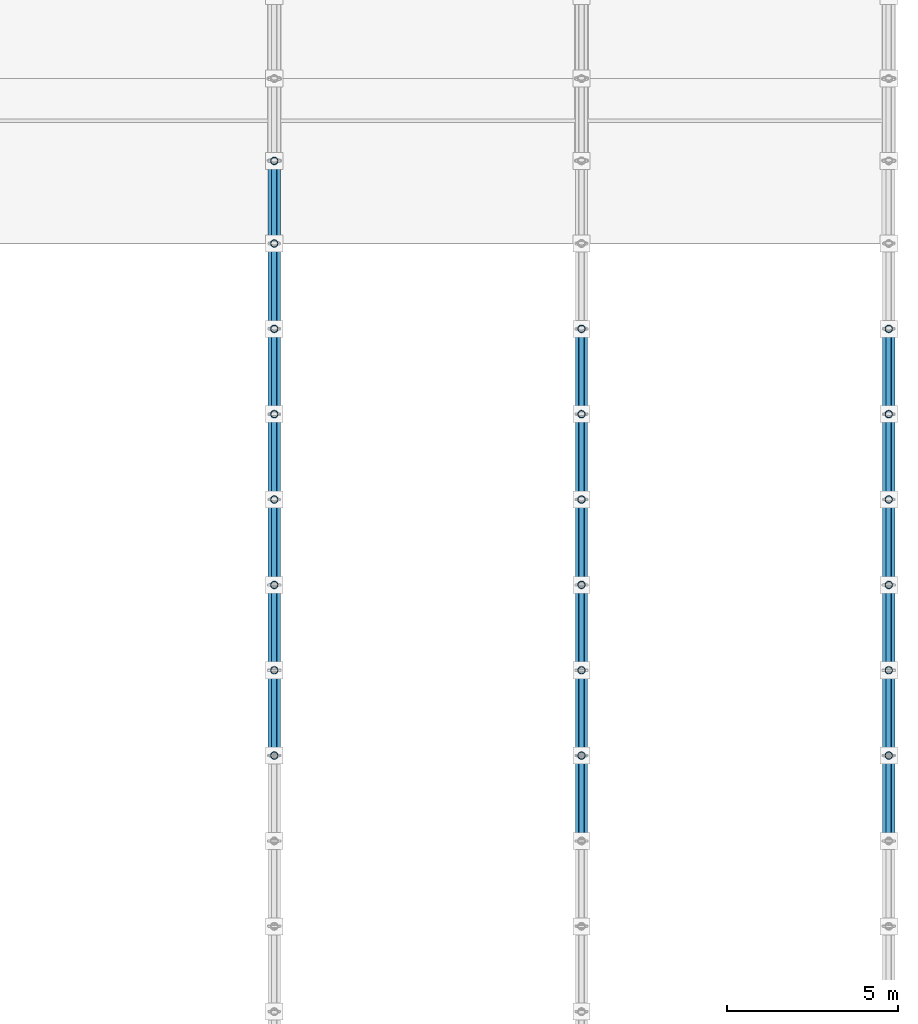
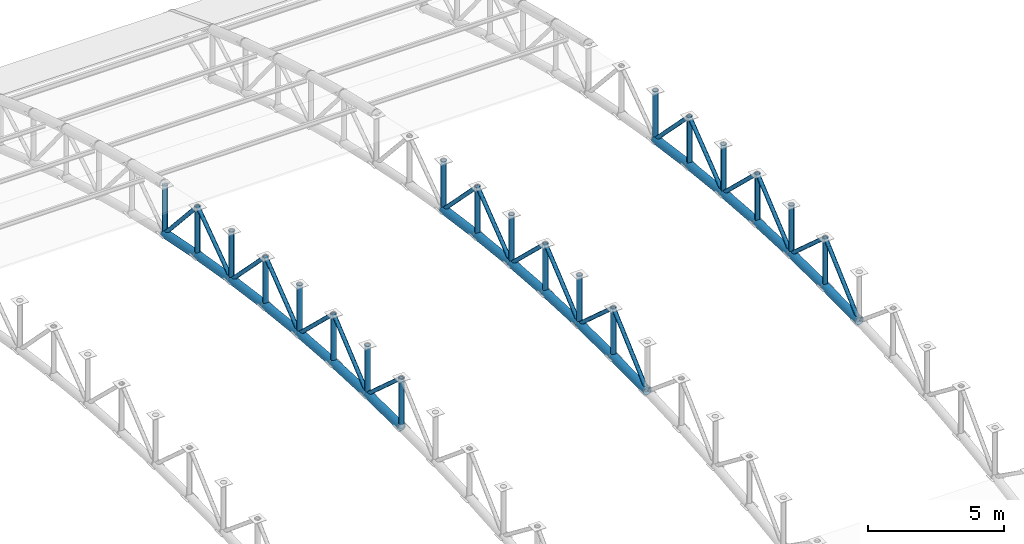
# One storey, part 88 of 195: 58 members.
"""IFC4 building model written with IfcOpenShell, lengths in metres."""

from ifc_helpers import new_model, si_unit, direction, frame, origin, origin_2d, place, context, subcontext, project, spatial, hollow_circle, extrude, material, material_profile, profile_set, type_object, element, save


model = new_model("IFC4")

# Units and contexts
model_context = context("Model", 3, precision=1e-05, world=origin(), true_north=direction((0.0, 1.0)))
body_context = subcontext(model_context, "Body", "Model", "MODEL_VIEW")
ifc_project = project(units=[si_unit("LENGTHUNIT", "METRE"), si_unit("AREAUNIT", "SQUARE_METRE"), si_unit("VOLUMEUNIT", "CUBIC_METRE"), si_unit("PLANEANGLEUNIT", "RADIAN"), si_unit("MASSUNIT", "GRAM", prefix="KILO")], contexts=[model_context])

# Site, building, storey
site_placement = place(None, origin())
site = spatial("IfcSite", under=ifc_project, at=site_placement, CompositionType="ELEMENT")
building_placement = place(site_placement, origin())
building = spatial("IfcBuilding", under=site, at=building_placement, Name="Marlcrest Central Station", CompositionType="ELEMENT")
storey_placement = place(building_placement, frame((0.0, 0.0, 9.800048828125)))
storey = spatial("IfcBuildingStorey", under=building, at=storey_placement, Name="L02", CompositionType="ELEMENT", Elevation=9.800048828125)

# Members
ifc_material = material(Name="Steel S355", Category="steel")
ifc_material_profile_1 = material_profile(ifc_material, hollow_circle(Radius=0.177734375, WallThickness=0.01611328125, at=origin_2d()), Name="CHS 355.6x16")
ifc_profile_set_1 = profile_set([ifc_material_profile_1], Name="Steel S355")
member_type_1 = type_object("IfcMemberType", Name="AC-02", PredefinedType="CHORD", material=ifc_profile_set_1)
member_1_placement = place(storey_placement, frame((198.0, 66.0, 4.800048828125), z_axis=(0.0, 0.999879472592, -0.01552547228), x_axis=(-1.0, 0.0, 0.0)))
element("IfcMember", 1, at=member_1_placement, inside=storey, type_object=member_type_1, Name="mem-AC-02-L02-01837", PredefinedType="CHORD", context=body_context, shape_type="SweptSolid", body=[
    extrude(hollow_circle(Radius=0.177734375, WallThickness=0.01611328125, at=origin_2d()), origin(), (0.0, 0.0, 1.0), 2.500244140625),
])
member_2_placement = place(storey_placement, frame((198.0, 68.5, 4.76123046875), z_axis=(0.0, 0.998916819647, -0.046531574509), x_axis=(-1.0, 0.0, 0.0)))
element("IfcMember", 2, at=member_2_placement, inside=storey, type_object=member_type_1, Name="mem-AC-02-L02-01841", PredefinedType="CHORD", context=body_context, shape_type="SweptSolid", body=[
    extrude(hollow_circle(Radius=0.177734375, WallThickness=0.01611328125, at=origin_2d()), origin(), (0.0, 0.0, 1.0), 2.502685546875),
])
member_3_placement = place(storey_placement, frame((198.0, 71.0, 4.644775390625), z_axis=(0.0, 0.997007334767, -0.077307014043), x_axis=(-1.0, 0.0, 0.0)))
element("IfcMember", 3, at=member_3_placement, inside=storey, type_object=member_type_1, Name="mem-AC-02-L02-01845", PredefinedType="CHORD", context=body_context, shape_type="SweptSolid", body=[
    extrude(hollow_circle(Radius=0.177734375, WallThickness=0.01611328125, at=origin_2d()), origin(), (0.0, 0.0, 1.0), 2.507568359375),
])
member_4_placement = place(storey_placement, frame((198.0, 73.5, 4.450927734375), z_axis=(0.0, 0.994155341034, -0.107959056565), x_axis=(-1.0, 0.0, 0.0)))
element("IfcMember", 4, at=member_4_placement, inside=storey, type_object=member_type_1, Name="mem-AC-02-L02-01849", PredefinedType="CHORD", context=body_context, shape_type="SweptSolid", body=[
    extrude(hollow_circle(Radius=0.177734375, WallThickness=0.01611328125, at=origin_2d()), origin(), (0.0, 0.0, 1.0), 2.5146484375),
])
member_5_placement = place(storey_placement, frame((198.0, 76.0, 4.179443359375), z_axis=(0.0, 0.990402740232, -0.138211476152), x_axis=(-1.0, 0.0, 0.0)))
element("IfcMember", 5, at=member_5_placement, inside=storey, type_object=member_type_1, Name="mem-AC-02-L02-01853", PredefinedType="CHORD", context=body_context, shape_type="SweptSolid", body=[
    extrude(hollow_circle(Radius=0.177734375, WallThickness=0.01611328125, at=origin_2d()), origin(), (0.0, 0.0, 1.0), 2.524169921875),
])
member_6_placement = place(storey_placement, frame((198.0, 78.5, 3.83056640625), z_axis=(0.0, 0.98574109921, -0.168269086076), x_axis=(-1.0, 0.0, 0.0)))
element("IfcMember", 6, at=member_6_placement, inside=storey, type_object=member_type_1, Name="mem-AC-02-L02-01857", PredefinedType="CHORD", context=body_context, shape_type="SweptSolid", body=[
    extrude(hollow_circle(Radius=0.177734375, WallThickness=0.01611328125, at=origin_2d()), origin(), (0.0, 0.0, 1.0), 2.5361328125),
])
member_7_placement = place(storey_placement, frame((198.0, 81.0, 3.40380859375), z_axis=(0.0, 0.980359417961, -0.197219196874), x_axis=(-1.0, 0.0, 0.0)))
element("IfcMember", 7, at=member_7_placement, inside=storey, type_object=member_type_1, Name="mem-AC-02-L02-01861", PredefinedType="CHORD", context=body_context, shape_type="SweptSolid", body=[
    extrude(hollow_circle(Radius=0.177734375, WallThickness=0.01611328125, at=origin_2d()), origin(), (0.0, 0.0, 1.0), 2.468505859375),
])
for number, where, z_axis, x_axis, name in (
    (8, (207.0, 63.5, 4.76123046875), (0.0, 0.999879472592, 0.01552547228), (-1.0, 0.0, 0.0), "mem-AC-02-L02-01949"),
    (9, (207.0, 66.0, 4.800048828125), (0.0, 0.999879472592, -0.01552547228), (-1.0, 0.0, 0.0), "mem-AC-02-L02-01953"),
):
    element("IfcMember", number, at=place(storey_placement, frame(where, z_axis=z_axis, x_axis=x_axis)), inside=storey, type_object=member_type_1, Name=name, PredefinedType="CHORD", context=body_context, shape_type="SweptSolid", body=[
        extrude(hollow_circle(Radius=0.177734375, WallThickness=0.01611328125, at=origin_2d()), origin(), (0.0, 0.0, 1.0), 2.500244140625),
    ])
member_8_placement = place(storey_placement, frame((207.0, 68.5, 4.76123046875), z_axis=(0.0, 0.998916819647, -0.046531574509), x_axis=(-1.0, 0.0, 0.0)))
element("IfcMember", 10, at=member_8_placement, inside=storey, type_object=member_type_1, Name="mem-AC-02-L02-01957", PredefinedType="CHORD", context=body_context, shape_type="SweptSolid", body=[
    extrude(hollow_circle(Radius=0.177734375, WallThickness=0.01611328125, at=origin_2d()), origin(), (0.0, 0.0, 1.0), 2.502685546875),
])
member_9_placement = place(storey_placement, frame((207.0, 71.0, 4.644775390625), z_axis=(0.0, 0.997007334767, -0.077307014043), x_axis=(-1.0, 0.0, 0.0)))
element("IfcMember", 11, at=member_9_placement, inside=storey, type_object=member_type_1, Name="mem-AC-02-L02-01961", PredefinedType="CHORD", context=body_context, shape_type="SweptSolid", body=[
    extrude(hollow_circle(Radius=0.177734375, WallThickness=0.01611328125, at=origin_2d()), origin(), (0.0, 0.0, 1.0), 2.507568359375),
])
member_10_placement = place(storey_placement, frame((207.0, 73.5, 4.450927734375), z_axis=(0.0, 0.994155341034, -0.107959056565), x_axis=(-1.0, 0.0, 0.0)))
element("IfcMember", 12, at=member_10_placement, inside=storey, type_object=member_type_1, Name="mem-AC-02-L02-01965", PredefinedType="CHORD", context=body_context, shape_type="SweptSolid", body=[
    extrude(hollow_circle(Radius=0.177734375, WallThickness=0.01611328125, at=origin_2d()), origin(), (0.0, 0.0, 1.0), 2.5146484375),
])
member_11_placement = place(storey_placement, frame((207.0, 76.0, 4.179443359375), z_axis=(0.0, 0.990402740232, -0.138211476152), x_axis=(-1.0, 0.0, 0.0)))
element("IfcMember", 13, at=member_11_placement, inside=storey, type_object=member_type_1, Name="mem-AC-02-L02-01969", PredefinedType="CHORD", context=body_context, shape_type="SweptSolid", body=[
    extrude(hollow_circle(Radius=0.177734375, WallThickness=0.01611328125, at=origin_2d()), origin(), (0.0, 0.0, 1.0), 2.524169921875),
])
for number, where, z_axis, x_axis, name in (
    (14, (216.0, 63.5, 4.76123046875), (0.0, 0.999879472592, 0.01552547228), (-1.0, 0.0, 0.0), "mem-AC-02-L02-02065"),
    (15, (216.0, 66.0, 4.800048828125), (0.0, 0.999879472592, -0.01552547228), (-1.0, 0.0, 0.0), "mem-AC-02-L02-02069"),
):
    element("IfcMember", number, at=place(storey_placement, frame(where, z_axis=z_axis, x_axis=x_axis)), inside=storey, type_object=member_type_1, Name=name, PredefinedType="CHORD", context=body_context, shape_type="SweptSolid", body=[
        extrude(hollow_circle(Radius=0.177734375, WallThickness=0.01611328125, at=origin_2d()), origin(), (0.0, 0.0, 1.0), 2.500244140625),
    ])
member_12_placement = place(storey_placement, frame((216.0, 68.5, 4.76123046875), z_axis=(0.0, 0.998916819647, -0.046531574509), x_axis=(-1.0, 0.0, 0.0)))
element("IfcMember", 16, at=member_12_placement, inside=storey, type_object=member_type_1, Name="mem-AC-02-L02-02073", PredefinedType="CHORD", context=body_context, shape_type="SweptSolid", body=[
    extrude(hollow_circle(Radius=0.177734375, WallThickness=0.01611328125, at=origin_2d()), origin(), (0.0, 0.0, 1.0), 2.502685546875),
])
member_13_placement = place(storey_placement, frame((216.0, 71.0, 4.644775390625), z_axis=(0.0, 0.997007334767, -0.077307014043), x_axis=(-1.0, 0.0, 0.0)))
element("IfcMember", 17, at=member_13_placement, inside=storey, type_object=member_type_1, Name="mem-AC-02-L02-02077", PredefinedType="CHORD", context=body_context, shape_type="SweptSolid", body=[
    extrude(hollow_circle(Radius=0.177734375, WallThickness=0.01611328125, at=origin_2d()), origin(), (0.0, 0.0, 1.0), 2.507568359375),
])
member_14_placement = place(storey_placement, frame((216.0, 73.5, 4.450927734375), z_axis=(0.0, 0.994155341034, -0.107959056565), x_axis=(-1.0, 0.0, 0.0)))
element("IfcMember", 18, at=member_14_placement, inside=storey, type_object=member_type_1, Name="mem-AC-02-L02-02081", PredefinedType="CHORD", context=body_context, shape_type="SweptSolid", body=[
    extrude(hollow_circle(Radius=0.177734375, WallThickness=0.01611328125, at=origin_2d()), origin(), (0.0, 0.0, 1.0), 2.5146484375),
])
member_15_placement = place(storey_placement, frame((216.0, 76.0, 4.179443359375), z_axis=(0.0, 0.990402740232, -0.138211476152), x_axis=(-1.0, 0.0, 0.0)))
element("IfcMember", 19, at=member_15_placement, inside=storey, type_object=member_type_1, Name="mem-AC-02-L02-02085", PredefinedType="CHORD", context=body_context, shape_type="SweptSolid", body=[
    extrude(hollow_circle(Radius=0.177734375, WallThickness=0.01611328125, at=origin_2d()), origin(), (0.0, 0.0, 1.0), 2.524169921875),
])
ifc_material_profile_2 = material_profile(ifc_material, hollow_circle(Radius=0.084228515625, WallThickness=0.010009765625, at=origin_2d()), Name="CHS 168.3x10")
ifc_profile_set_2 = profile_set([ifc_material_profile_2], Name="Steel S355")
member_type_2 = type_object("IfcMemberType", Name="AD-01", PredefinedType="BRACE", material=ifc_profile_set_2)
member_16_placement = place(storey_placement, frame((198.0, 66.0, 7.0), z_axis=(0.0, 0.744955843007, -0.66711377738), x_axis=(-1.0, 0.0, 0.0)))
element("IfcMember", 20, at=member_16_placement, inside=storey, type_object=member_type_2, Name="mem-AD-01-L02-01839", PredefinedType="BRACE", context=body_context, shape_type="SweptSolid", body=[
    extrude(hollow_circle(Radius=0.084228515625, WallThickness=0.010009765625, at=origin_2d()), origin(), (0.0, 0.0, 1.0), 3.35595703125),
])
member_17_placement = place(storey_placement, frame((198.0, 68.5, 4.76123046875), z_axis=(0.0, 0.768159787854, 0.640258182552), x_axis=(-1.0, 0.0, 0.0)))
element("IfcMember", 21, at=member_17_placement, inside=storey, type_object=member_type_2, Name="mem-AD-01-L02-01843", PredefinedType="BRACE", context=body_context, shape_type="SweptSolid", body=[
    extrude(hollow_circle(Radius=0.084228515625, WallThickness=0.010009765625, at=origin_2d()), origin(), (0.0, 0.0, 1.0), 3.254638671875),
])
member_18_placement = place(storey_placement, frame((198.0, 71.0, 6.844970703125), z_axis=(0.0, 0.722246537655, -0.691635698071), x_axis=(-1.0, 0.0, 0.0)))
element("IfcMember", 22, at=member_18_placement, inside=storey, type_object=member_type_2, Name="mem-AD-01-L02-01847", PredefinedType="BRACE", context=body_context, shape_type="SweptSolid", body=[
    extrude(hollow_circle(Radius=0.084228515625, WallThickness=0.010009765625, at=origin_2d()), origin(), (0.0, 0.0, 1.0), 3.46142578125),
])
member_19_placement = place(storey_placement, frame((198.0, 73.5, 4.450927734375), z_axis=(0.0, 0.791798282026, 0.610782678684), x_axis=(-1.0, 0.0, 0.0)))
element("IfcMember", 23, at=member_19_placement, inside=storey, type_object=member_type_2, Name="mem-AD-01-L02-01851", PredefinedType="BRACE", context=body_context, shape_type="SweptSolid", body=[
    extrude(hollow_circle(Radius=0.084228515625, WallThickness=0.010009765625, at=origin_2d()), origin(), (0.0, 0.0, 1.0), 3.157470703125),
])
member_20_placement = place(storey_placement, frame((198.0, 76.0, 6.37939453125), z_axis=(0.0, 0.70023547796, -0.713911952139), x_axis=(-1.0, 0.0, 0.0)))
element("IfcMember", 24, at=member_20_placement, inside=storey, type_object=member_type_2, Name="mem-AD-01-L02-01855", PredefinedType="BRACE", context=body_context, shape_type="SweptSolid", body=[
    extrude(hollow_circle(Radius=0.084228515625, WallThickness=0.010009765625, at=origin_2d()), origin(), (0.0, 0.0, 1.0), 3.5703125),
])
member_21_placement = place(storey_placement, frame((198.0, 78.5, 3.83056640625), z_axis=(0.0, 0.815661132754, 0.57852996164), x_axis=(-1.0, 0.0, 0.0)))
element("IfcMember", 25, at=member_21_placement, inside=storey, type_object=member_type_2, Name="mem-AD-01-L02-01859", PredefinedType="BRACE", context=body_context, shape_type="SweptSolid", body=[
    extrude(hollow_circle(Radius=0.084228515625, WallThickness=0.010009765625, at=origin_2d()), origin(), (0.0, 0.0, 1.0), 3.06494140625),
])
member_22_placement = place(storey_placement, frame((198.0, 81.0, 5.603759765625), z_axis=(0.0, 0.669244457479, -0.743042297675), x_axis=(-1.0, 0.0, 0.0)))
element("IfcMember", 26, at=member_22_placement, inside=storey, type_object=member_type_2, Name="mem-AD-01-L02-01863", PredefinedType="BRACE", context=body_context, shape_type="SweptSolid", body=[
    extrude(hollow_circle(Radius=0.084228515625, WallThickness=0.010009765625, at=origin_2d()), origin(), (0.0, 0.0, 1.0), 3.615966796875),
])
for number, where, z_axis, x_axis, name in (
    (27, (207.0, 63.5, 4.76123046875), (0.0, 0.744955843007, 0.66711377738), (-1.0, 0.0, 0.0), "mem-AD-01-L02-01951"),
    (28, (207.0, 66.0, 7.0), (0.0, 0.744955843007, -0.66711377738), (-1.0, 0.0, 0.0), "mem-AD-01-L02-01955"),
):
    element("IfcMember", number, at=place(storey_placement, frame(where, z_axis=z_axis, x_axis=x_axis)), inside=storey, type_object=member_type_2, Name=name, PredefinedType="BRACE", context=body_context, shape_type="SweptSolid", body=[
        extrude(hollow_circle(Radius=0.084228515625, WallThickness=0.010009765625, at=origin_2d()), origin(), (0.0, 0.0, 1.0), 3.35595703125),
    ])
member_23_placement = place(storey_placement, frame((207.0, 68.5, 4.76123046875), z_axis=(0.0, 0.768159787854, 0.640258182552), x_axis=(-1.0, 0.0, 0.0)))
element("IfcMember", 29, at=member_23_placement, inside=storey, type_object=member_type_2, Name="mem-AD-01-L02-01959", PredefinedType="BRACE", context=body_context, shape_type="SweptSolid", body=[
    extrude(hollow_circle(Radius=0.084228515625, WallThickness=0.010009765625, at=origin_2d()), origin(), (0.0, 0.0, 1.0), 3.254638671875),
])
member_24_placement = place(storey_placement, frame((207.0, 71.0, 6.844970703125), z_axis=(0.0, 0.722246537655, -0.691635698071), x_axis=(-1.0, 0.0, 0.0)))
element("IfcMember", 30, at=member_24_placement, inside=storey, type_object=member_type_2, Name="mem-AD-01-L02-01963", PredefinedType="BRACE", context=body_context, shape_type="SweptSolid", body=[
    extrude(hollow_circle(Radius=0.084228515625, WallThickness=0.010009765625, at=origin_2d()), origin(), (0.0, 0.0, 1.0), 3.46142578125),
])
member_25_placement = place(storey_placement, frame((207.0, 73.5, 4.450927734375), z_axis=(0.0, 0.791798282026, 0.610782678684), x_axis=(-1.0, 0.0, 0.0)))
element("IfcMember", 31, at=member_25_placement, inside=storey, type_object=member_type_2, Name="mem-AD-01-L02-01967", PredefinedType="BRACE", context=body_context, shape_type="SweptSolid", body=[
    extrude(hollow_circle(Radius=0.084228515625, WallThickness=0.010009765625, at=origin_2d()), origin(), (0.0, 0.0, 1.0), 3.157470703125),
])
member_26_placement = place(storey_placement, frame((207.0, 76.0, 6.37939453125), z_axis=(0.0, 0.70023547796, -0.713911952139), x_axis=(-1.0, 0.0, 0.0)))
element("IfcMember", 32, at=member_26_placement, inside=storey, type_object=member_type_2, Name="mem-AD-01-L02-01971", PredefinedType="BRACE", context=body_context, shape_type="SweptSolid", body=[
    extrude(hollow_circle(Radius=0.084228515625, WallThickness=0.010009765625, at=origin_2d()), origin(), (0.0, 0.0, 1.0), 3.5703125),
])
for number, where, z_axis, x_axis, name in (
    (33, (216.0, 63.5, 4.76123046875), (0.0, 0.744955843007, 0.66711377738), (-1.0, 0.0, 0.0), "mem-AD-01-L02-02067"),
    (34, (216.0, 66.0, 7.0), (0.0, 0.744955843007, -0.66711377738), (-1.0, 0.0, 0.0), "mem-AD-01-L02-02071"),
):
    element("IfcMember", number, at=place(storey_placement, frame(where, z_axis=z_axis, x_axis=x_axis)), inside=storey, type_object=member_type_2, Name=name, PredefinedType="BRACE", context=body_context, shape_type="SweptSolid", body=[
        extrude(hollow_circle(Radius=0.084228515625, WallThickness=0.010009765625, at=origin_2d()), origin(), (0.0, 0.0, 1.0), 3.35595703125),
    ])
member_27_placement = place(storey_placement, frame((216.0, 68.5, 4.76123046875), z_axis=(0.0, 0.768159787854, 0.640258182552), x_axis=(-1.0, 0.0, 0.0)))
element("IfcMember", 35, at=member_27_placement, inside=storey, type_object=member_type_2, Name="mem-AD-01-L02-02075", PredefinedType="BRACE", context=body_context, shape_type="SweptSolid", body=[
    extrude(hollow_circle(Radius=0.084228515625, WallThickness=0.010009765625, at=origin_2d()), origin(), (0.0, 0.0, 1.0), 3.254638671875),
])
member_28_placement = place(storey_placement, frame((216.0, 71.0, 6.844970703125), z_axis=(0.0, 0.722246537655, -0.691635698071), x_axis=(-1.0, 0.0, 0.0)))
element("IfcMember", 36, at=member_28_placement, inside=storey, type_object=member_type_2, Name="mem-AD-01-L02-02079", PredefinedType="BRACE", context=body_context, shape_type="SweptSolid", body=[
    extrude(hollow_circle(Radius=0.084228515625, WallThickness=0.010009765625, at=origin_2d()), origin(), (0.0, 0.0, 1.0), 3.46142578125),
])
member_29_placement = place(storey_placement, frame((216.0, 73.5, 4.450927734375), z_axis=(0.0, 0.791798282026, 0.610782678684), x_axis=(-1.0, 0.0, 0.0)))
element("IfcMember", 37, at=member_29_placement, inside=storey, type_object=member_type_2, Name="mem-AD-01-L02-02083", PredefinedType="BRACE", context=body_context, shape_type="SweptSolid", body=[
    extrude(hollow_circle(Radius=0.084228515625, WallThickness=0.010009765625, at=origin_2d()), origin(), (0.0, 0.0, 1.0), 3.157470703125),
])
member_30_placement = place(storey_placement, frame((216.0, 76.0, 6.37939453125), z_axis=(0.0, 0.70023547796, -0.713911952139), x_axis=(-1.0, 0.0, 0.0)))
element("IfcMember", 38, at=member_30_placement, inside=storey, type_object=member_type_2, Name="mem-AD-01-L02-02087", PredefinedType="BRACE", context=body_context, shape_type="SweptSolid", body=[
    extrude(hollow_circle(Radius=0.084228515625, WallThickness=0.010009765625, at=origin_2d()), origin(), (0.0, 0.0, 1.0), 3.5703125),
])
ifc_material_profile_3 = material_profile(ifc_material, hollow_circle(Radius=0.109619140625, WallThickness=0.012451171875, at=origin_2d()), Name="CHS 219.1x12.5")
ifc_profile_set_3 = profile_set([ifc_material_profile_3], Name="Steel S355")
member_type_3 = type_object("IfcMemberType", Name="AP-01", PredefinedType="POST", material=ifc_profile_set_3)
for number, where, z_axis, x_axis, name in (
    (39, (198.0, 66.0, 4.800048828125), (0.0, 0.0, 1.0), (1.0, 0.0, 0.0), "mem-AP-01-L02-01838"),
    (40, (198.0, 68.5, 4.76123046875), (0.0, 0.0, 1.0), (1.0, 0.0, 0.0), "mem-AP-01-L02-01842"),
):
    element("IfcMember", number, at=place(storey_placement, frame(where, z_axis=z_axis, x_axis=x_axis)), inside=storey, type_object=member_type_3, Name=name, PredefinedType="POST", context=body_context, shape_type="SweptSolid", body=[
        extrude(hollow_circle(Radius=0.109619140625, WallThickness=0.012451171875, at=origin_2d()), origin(), (0.0, 0.0, 1.0), 2.199951171875),
    ])
member_31_placement = place(storey_placement, frame((198.0, 71.0, 4.644775390625), z_axis=(0.0, 0.0, 1.0), x_axis=(1.0, 0.0, 0.0)))
element("IfcMember", 41, at=member_31_placement, inside=storey, type_object=member_type_3, Name="mem-AP-01-L02-01846", PredefinedType="POST", context=body_context, shape_type="SweptSolid", body=[
    extrude(hollow_circle(Radius=0.109619140625, WallThickness=0.012451171875, at=origin_2d()), origin(), (0.0, 0.0, 1.0), 2.2001953125),
])
for number, where, z_axis, x_axis, name in (
    (42, (198.0, 73.5, 4.450927734375), (0.0, 0.0, 1.0), (1.0, 0.0, 0.0), "mem-AP-01-L02-01850"),
    (43, (198.0, 76.0, 4.179443359375), (0.0, 0.0, 1.0), (1.0, 0.0, 0.0), "mem-AP-01-L02-01854"),
    (44, (198.0, 78.5, 3.83056640625), (0.0, 0.0, 1.0), (1.0, 0.0, 0.0), "mem-AP-01-L02-01858"),
    (45, (198.0, 81.0, 3.40380859375), (0.0, 0.0, 1.0), (1.0, 0.0, 0.0), "mem-AP-01-L02-01862"),
    (46, (198.0, 83.419921875, 2.9169921875), (0.0, 0.0, 1.0), (1.0, 0.0, 0.0), "mem-AP-01-L02-01866"),
    (47, (207.0, 66.0, 4.800048828125), (0.0, 0.0, 1.0), (1.0, 0.0, 0.0), "mem-AP-01-L02-01954"),
    (48, (207.0, 68.5, 4.76123046875), (0.0, 0.0, 1.0), (1.0, 0.0, 0.0), "mem-AP-01-L02-01958"),
):
    element("IfcMember", number, at=place(storey_placement, frame(where, z_axis=z_axis, x_axis=x_axis)), inside=storey, type_object=member_type_3, Name=name, PredefinedType="POST", context=body_context, shape_type="SweptSolid", body=[
        extrude(hollow_circle(Radius=0.109619140625, WallThickness=0.012451171875, at=origin_2d()), origin(), (0.0, 0.0, 1.0), 2.199951171875),
    ])
member_32_placement = place(storey_placement, frame((207.0, 71.0, 4.644775390625), z_axis=(0.0, 0.0, 1.0), x_axis=(1.0, 0.0, 0.0)))
element("IfcMember", 49, at=member_32_placement, inside=storey, type_object=member_type_3, Name="mem-AP-01-L02-01962", PredefinedType="POST", context=body_context, shape_type="SweptSolid", body=[
    extrude(hollow_circle(Radius=0.109619140625, WallThickness=0.012451171875, at=origin_2d()), origin(), (0.0, 0.0, 1.0), 2.2001953125),
])
for number, where, z_axis, x_axis, name in (
    (50, (207.0, 73.5, 4.450927734375), (0.0, 0.0, 1.0), (1.0, 0.0, 0.0), "mem-AP-01-L02-01966"),
    (51, (207.0, 76.0, 4.179443359375), (0.0, 0.0, 1.0), (1.0, 0.0, 0.0), "mem-AP-01-L02-01970"),
    (52, (207.0, 78.5, 3.83056640625), (0.0, 0.0, 1.0), (1.0, 0.0, 0.0), "mem-AP-01-L02-01974"),
    (53, (216.0, 66.0, 4.800048828125), (0.0, 0.0, 1.0), (1.0, 0.0, 0.0), "mem-AP-01-L02-02070"),
    (54, (216.0, 68.5, 4.76123046875), (0.0, 0.0, 1.0), (1.0, 0.0, 0.0), "mem-AP-01-L02-02074"),
):
    element("IfcMember", number, at=place(storey_placement, frame(where, z_axis=z_axis, x_axis=x_axis)), inside=storey, type_object=member_type_3, Name=name, PredefinedType="POST", context=body_context, shape_type="SweptSolid", body=[
        extrude(hollow_circle(Radius=0.109619140625, WallThickness=0.012451171875, at=origin_2d()), origin(), (0.0, 0.0, 1.0), 2.199951171875),
    ])
member_33_placement = place(storey_placement, frame((216.0, 71.0, 4.644775390625), z_axis=(0.0, 0.0, 1.0), x_axis=(1.0, 0.0, 0.0)))
element("IfcMember", 55, at=member_33_placement, inside=storey, type_object=member_type_3, Name="mem-AP-01-L02-02078", PredefinedType="POST", context=body_context, shape_type="SweptSolid", body=[
    extrude(hollow_circle(Radius=0.109619140625, WallThickness=0.012451171875, at=origin_2d()), origin(), (0.0, 0.0, 1.0), 2.2001953125),
])
for number, where, z_axis, x_axis, name in (
    (56, (216.0, 73.5, 4.450927734375), (0.0, 0.0, 1.0), (1.0, 0.0, 0.0), "mem-AP-01-L02-02082"),
    (57, (216.0, 76.0, 4.179443359375), (0.0, 0.0, 1.0), (1.0, 0.0, 0.0), "mem-AP-01-L02-02086"),
    (58, (216.0, 78.5, 3.83056640625), (0.0, 0.0, 1.0), (1.0, 0.0, 0.0), "mem-AP-01-L02-02090"),
):
    element("IfcMember", number, at=place(storey_placement, frame(where, z_axis=z_axis, x_axis=x_axis)), inside=storey, type_object=member_type_3, Name=name, PredefinedType="POST", context=body_context, shape_type="SweptSolid", body=[
        extrude(hollow_circle(Radius=0.109619140625, WallThickness=0.012451171875, at=origin_2d()), origin(), (0.0, 0.0, 1.0), 2.199951171875),
    ])

save(model, "model.ifc")
